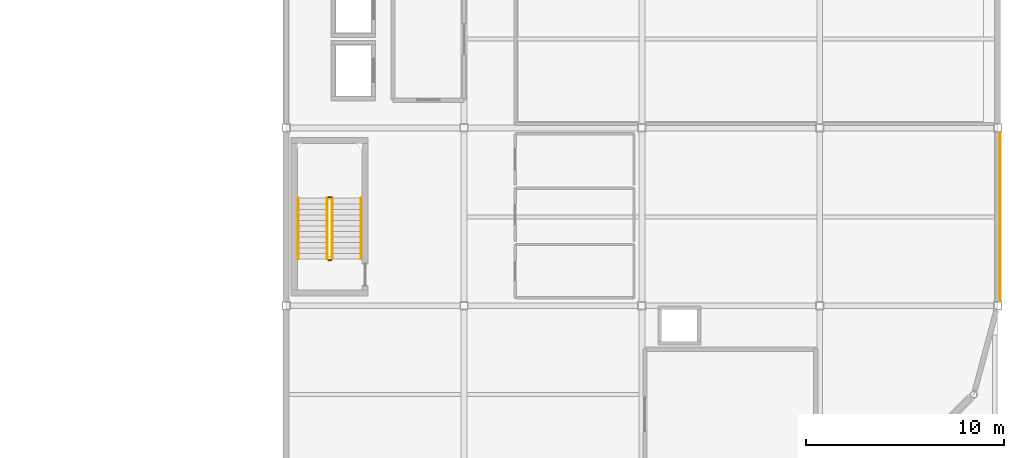
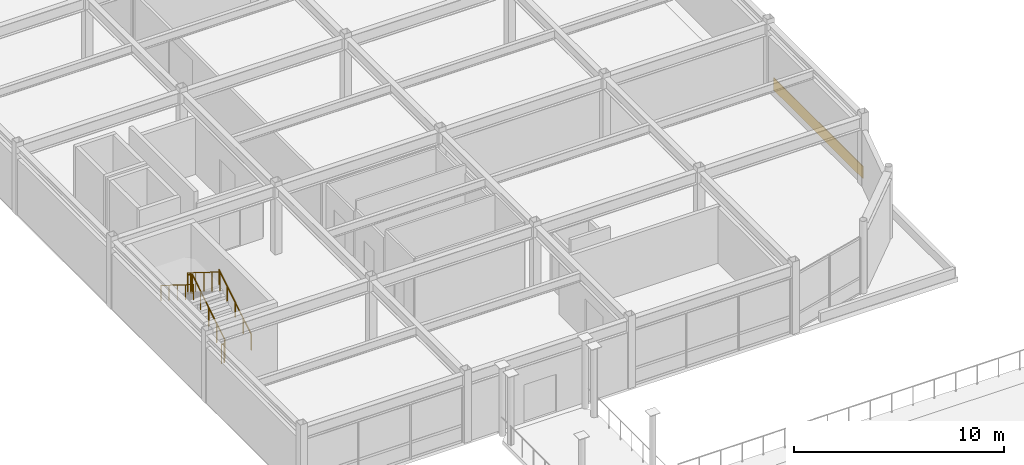
# One storey, part 50 of 53: 6 railings, 1 covering.
"""IFC4 building model written with IfcOpenShell, lengths in metres."""

from ifc_helpers import new_model, si_unit, direction, frame, origin, origin_2d, place, context, subcontext, project, spatial, rectangle, circle, extrude, material, layer, layer_set, type_object, element, save


model = new_model("IFC4")

# Units and contexts
model_context = context("Model", 3, precision=1e-05, world=origin(), true_north=direction((0.0, 1.0)))
body_context = subcontext(model_context, "Body", "Model", "MODEL_VIEW")
ifc_project = project(units=[si_unit("LENGTHUNIT", "METRE"), si_unit("AREAUNIT", "SQUARE_METRE"), si_unit("VOLUMEUNIT", "CUBIC_METRE"), si_unit("PLANEANGLEUNIT", "RADIAN"), si_unit("MASSUNIT", "GRAM", prefix="KILO")], contexts=[model_context])

# Site, building, storey
site_placement = place(None, origin())
site = spatial("IfcSite", under=ifc_project, at=site_placement, CompositionType="ELEMENT")
building_placement = place(site_placement, origin())
building = spatial("IfcBuilding", under=site, at=building_placement, Name="Suzunagisa Mobility Hub", CompositionType="ELEMENT")
storey_placement = place(building_placement, frame((0.0, 0.0, 17.699951171875)))
storey = spatial("IfcBuildingStorey", under=building, at=storey_placement, Name="L04", CompositionType="ELEMENT", Elevation=17.699951171875)

# Railings
ifc_material_1 = material(Name="Stainless Steel SUS304", Category="metal")
railing_type_1 = type_object("IfcRailingType", Name="Interior Well Guardrail IGR-01", PredefinedType="GUARDRAIL", material=ifc_material_1)
railing_1_placement = place(storey_placement, frame((146.330078125, 55.360107421875, 0.175048828125)))
element("IfcRailing", 1, at=railing_1_placement, inside=storey, type_object=railing_type_1, Name="L04 ST-11 stair guard 1", PredefinedType="GUARDRAIL", context=body_context, shape_type="SweptSolid", body=[
    extrude(circle(Radius=0.02392578125, at=origin_2d()), frame((0.0, 0.0, 1.09619140625), z_axis=(0.0, 0.847979421464, 0.530029150871), x_axis=(-1.0, 0.0, 0.0)), (0.0, 0.0, 1.0), 3.632080078125),
    extrude(circle(Radius=0.02099609375, at=origin_2d()), origin(), (0.0, 0.0, 1.0), 1.072021484375),
    extrude(circle(Radius=0.02099609375, at=origin_2d()), frame((0.0, 0.77001953125, 0.481201171875)), (0.0, 0.0, 1.0), 1.072021484375),
    extrude(circle(Radius=0.02099609375, at=origin_2d()), frame((0.0, 1.5400390625, 0.96240234375)), (0.0, 0.0, 1.0), 1.072021484375),
    extrude(circle(Radius=0.02099609375, at=origin_2d()), frame((0.0, 2.309814453125, 1.44384765625)), (0.0, 0.0, 1.0), 1.072021484375),
    extrude(circle(Radius=0.02099609375, at=origin_2d()), frame((0.0, 3.079833984375, 1.925048828125)), (0.0, 0.0, 1.0), 1.072021484375),
])
railing_2_placement = place(storey_placement, frame((146.280029296875, 58.489990234375, 2.10009765625)))
element("IfcRailing", 2, at=railing_2_placement, inside=storey, type_object=railing_type_1, Name="L04 ST-11 stair guard 2", PredefinedType="GUARDRAIL", context=body_context, shape_type="SweptSolid", body=[
    extrude(circle(Radius=0.02392578125, at=origin_2d()), frame((0.0, 0.0, 1.09619140625), z_axis=(-1.0, 0.0, 0.0), x_axis=(0.0, -1.0, 0.0)), (0.0, 0.0, 1.0), 0.159912109375),
    extrude(circle(Radius=0.02099609375, at=origin_2d()), origin(), (0.0, 0.0, 1.0), 1.072021484375),
    extrude(circle(Radius=0.02099609375, at=origin_2d()), frame((-0.159912109375, 0.0, 0.0)), (0.0, 0.0, 1.0), 1.072021484375),
])
railing_3_placement = place(storey_placement, frame((146.070068359375, 58.43994140625, 2.275146484375)))
element("IfcRailing", 3, at=railing_3_placement, inside=storey, type_object=railing_type_1, Name="L04 ST-11 stair guard 3", PredefinedType="GUARDRAIL", context=body_context, shape_type="SweptSolid", body=[
    extrude(circle(Radius=0.02392578125, at=origin_2d()), frame((0.0, 0.0, 1.09619140625), z_axis=(0.0, -0.848009633417, 0.529980812513), x_axis=(1.0, 0.0, 0.0)), (0.0, 0.0, 1.0), 3.6318359375),
    extrude(circle(Radius=0.02099609375, at=origin_2d()), origin(), (0.0, 0.0, 1.0), 1.072021484375),
    extrude(circle(Radius=0.02099609375, at=origin_2d()), frame((0.0, -0.77001953125, 0.481201171875)), (0.0, 0.0, 1.0), 1.072021484375),
    extrude(circle(Radius=0.02099609375, at=origin_2d()), frame((0.0, -1.5400390625, 0.96240234375)), (0.0, 0.0, 1.0), 1.072021484375),
    extrude(circle(Radius=0.02099609375, at=origin_2d()), frame((0.0, -2.309814453125, 1.443603515625)), (0.0, 0.0, 1.0), 1.072021484375),
    extrude(circle(Radius=0.02099609375, at=origin_2d()), frame((0.0, -3.079833984375, 1.9248046875)), (0.0, 0.0, 1.0), 1.072021484375),
])
railing_4_placement = place(storey_placement, frame((146.280029296875, 55.31005859375, 0.0)))
element("IfcRailing", 4, at=railing_4_placement, inside=storey, type_object=railing_type_1, Name="L04 ST-11 stair guard 4", PredefinedType="GUARDRAIL", context=body_context, shape_type="SweptSolid", body=[
    extrude(circle(Radius=0.02392578125, at=origin_2d()), frame((0.0, 0.0, 1.09619140625), z_axis=(-1.0, 0.0, 0.0), x_axis=(0.0, -1.0, 0.0)), (0.0, 0.0, 1.0), 0.159912109375),
    extrude(circle(Radius=0.02099609375, at=origin_2d()), origin(), (0.0, 0.0, 1.0), 1.072021484375),
    extrude(circle(Radius=0.02099609375, at=origin_2d()), frame((-0.159912109375, 0.0, 0.0)), (0.0, 0.0, 1.0), 1.072021484375),
])

# Covering
ifc_material_2 = material(Name="Vitreous Porcelain Enamel Aluminum Cladding", Category="aluminium")
ifc_layer = layer(ifc_material_2, 0.034912109375)
ifc_layer_set = layer_set([ifc_layer], Name="Vitreous Porcelain Enamel Aluminum Cladding")
covering_type = type_object("IfcCoveringType", Name="Porcelain Enamel Spandrel Cladding Band CLD-01", PredefinedType="CLADDING", material=ifc_layer_set)
covering_placement = place(storey_placement, frame((180.137451171875, 57.5, 0.06005859375), z_axis=(0.0, 0.0, 1.0), x_axis=(0.0, 1.0, 0.0)))
element("IfcCovering", 5, at=covering_placement, inside=storey, type_object=covering_type, Name="L04 Porcelain Spandrel Cladding Band CLD-44", PredefinedType="CLADDING", context=body_context, shape_type="SweptSolid", body=[
    extrude(rectangle(XDim=8.5, YDim=0.034912109375, at=origin_2d()), origin(), (0.0, 0.0, 1.0), 0.719970703125),
])

# Railings
railing_type_2 = type_object("IfcRailingType", Name="Tubular Stainless Stair Handrail IHR-01", PredefinedType="HANDRAIL", material=ifc_material_1)
railing_5_placement = place(storey_placement, frame((147.7900390625, 55.360107421875, 0.175048828125)))
element("IfcRailing", 6, at=railing_5_placement, inside=storey, type_object=railing_type_2, Name="L04 ST-11 stair handrail 1", PredefinedType="HANDRAIL", context=body_context, shape_type="SweptSolid", body=[
    extrude(circle(Radius=0.02392578125, at=origin_2d()), frame((0.0, 0.0, 0.8759765625), z_axis=(0.0, 0.847979421464, 0.530029150871), x_axis=(-1.0, 0.0, 0.0)), (0.0, 0.0, 1.0), 3.632080078125),
    extrude(circle(Radius=0.02099609375, at=origin_2d()), origin(), (0.0, 0.0, 1.0), 0.851806640625),
    extrude(circle(Radius=0.02099609375, at=origin_2d()), frame((0.0, 0.77001953125, 0.481201171875)), (0.0, 0.0, 1.0), 0.851806640625),
    extrude(circle(Radius=0.02099609375, at=origin_2d()), frame((0.0, 1.5400390625, 0.96240234375)), (0.0, 0.0, 1.0), 0.851806640625),
    extrude(circle(Radius=0.02099609375, at=origin_2d()), frame((0.0, 2.309814453125, 1.44384765625)), (0.0, 0.0, 1.0), 0.851806640625),
    extrude(circle(Radius=0.02099609375, at=origin_2d()), frame((0.0, 3.079833984375, 1.925048828125)), (0.0, 0.0, 1.0), 0.851806640625),
])
railing_6_placement = place(storey_placement, frame((144.610107421875, 58.43994140625, 2.275146484375)))
element("IfcRailing", 7, at=railing_6_placement, inside=storey, type_object=railing_type_2, Name="L04 ST-11 stair handrail 2", PredefinedType="HANDRAIL", context=body_context, shape_type="SweptSolid", body=[
    extrude(circle(Radius=0.02392578125, at=origin_2d()), frame((0.0, 0.0, 0.8759765625), z_axis=(0.0, -0.848009633417, 0.529980812513), x_axis=(1.0, 0.0, 0.0)), (0.0, 0.0, 1.0), 3.6318359375),
    extrude(circle(Radius=0.02099609375, at=origin_2d()), origin(), (0.0, 0.0, 1.0), 0.851806640625),
    extrude(circle(Radius=0.02099609375, at=origin_2d()), frame((0.0, -0.77001953125, 0.481201171875)), (0.0, 0.0, 1.0), 0.851806640625),
    extrude(circle(Radius=0.02099609375, at=origin_2d()), frame((0.0, -1.5400390625, 0.96240234375)), (0.0, 0.0, 1.0), 0.851806640625),
    extrude(circle(Radius=0.02099609375, at=origin_2d()), frame((0.0, -2.309814453125, 1.443603515625)), (0.0, 0.0, 1.0), 0.851806640625),
    extrude(circle(Radius=0.02099609375, at=origin_2d()), frame((0.0, -3.079833984375, 1.9248046875)), (0.0, 0.0, 1.0), 0.851806640625),
])

save(model, "model.ifc")
